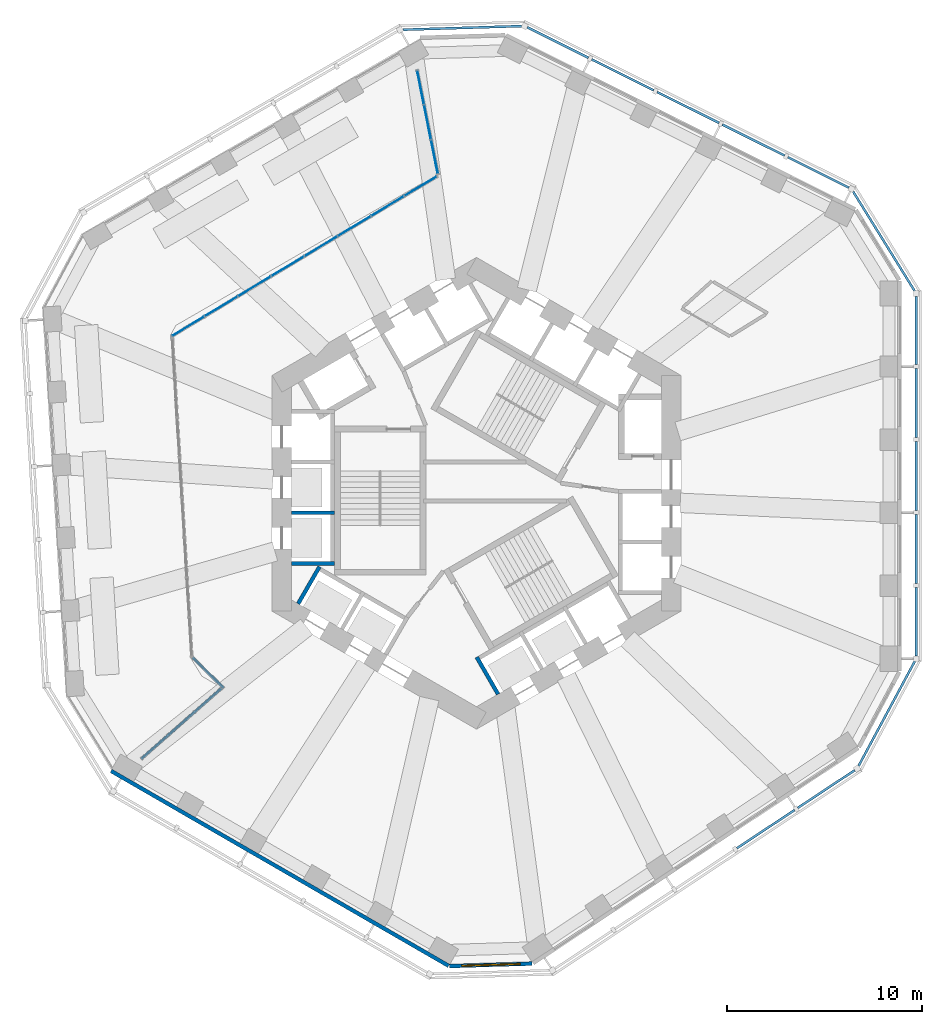
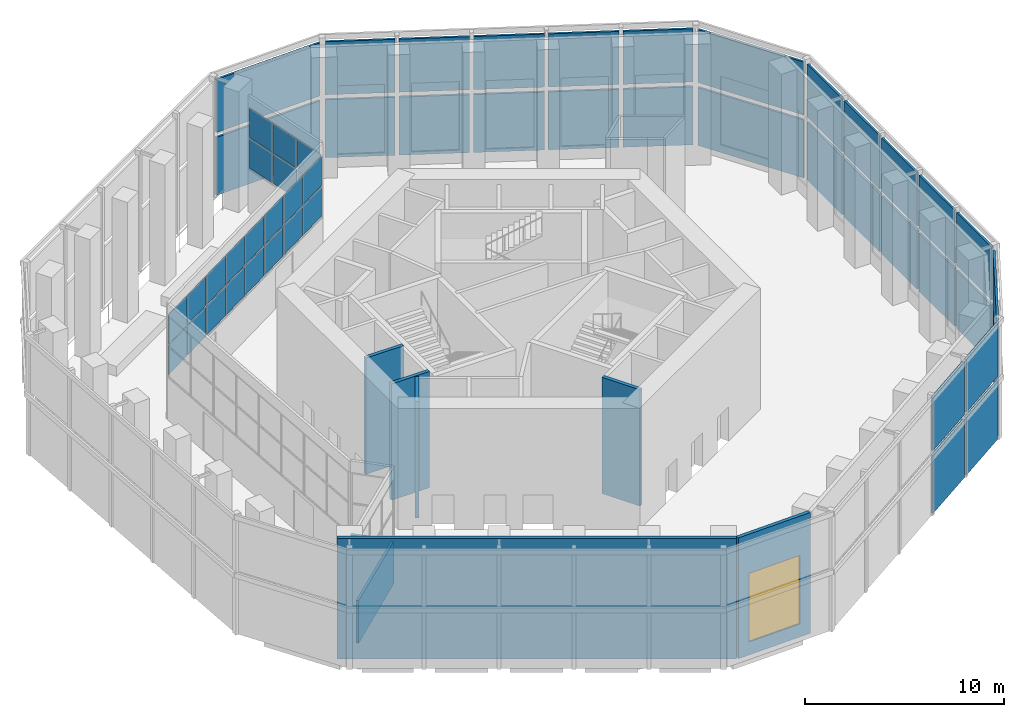
# One storey, part 9 of 19: 52 plates, 8 walls, 1 window, 1 opening, 8 elements without a shape of their own.
"""IFC4 building model written with IfcOpenShell, lengths in metres."""

from ifc_helpers import new_model, si_unit, direction, frame, frame_2d, origin, origin_2d, place, context, subcontext, project, spatial, rectangle, extrude, material, layer, layer_set, type_object, element, fill, aggregate, save


model = new_model("IFC4")

# Units and contexts
model_context = context("Model", 3, precision=1e-05, world=origin(), true_north=direction((0.0, 1.0)))
body_context = subcontext(model_context, "Body", "Model", "MODEL_VIEW")
ifc_project = project(units=[si_unit("LENGTHUNIT", "METRE"), si_unit("AREAUNIT", "SQUARE_METRE"), si_unit("VOLUMEUNIT", "CUBIC_METRE"), si_unit("PLANEANGLEUNIT", "RADIAN"), si_unit("MASSUNIT", "GRAM", prefix="KILO")], contexts=[model_context])

# Site, building, storey
site_placement = place(None, origin())
site = spatial("IfcSite", under=ifc_project, at=site_placement, CompositionType="ELEMENT")
building_placement = place(site_placement, origin())
building = spatial("IfcBuilding", under=site, at=building_placement, Name="Vanh Sen Convention Tower", CompositionType="ELEMENT")
storey_placement = place(building_placement, frame((0.0, 0.0, 139.199951171875)))
storey = spatial("IfcBuildingStorey", under=building, at=storey_placement, Name="L34", CompositionType="ELEMENT", Elevation=139.199951171875)

# Curtain wall, plates
ifc_material_1 = material(Name="Aluminium structural glazing system", Category="aluminium")
curtain_wall_type_1 = type_object("IfcCurtainWallType", Name="Sky garden structural glazing", PredefinedType="NOTDEFINED", material=ifc_material_1)
curtain_wall_1_placement = place(storey_placement, origin())
curtain_wall_1 = element("IfcCurtainWall", 1, at=curtain_wall_1_placement, inside=storey, type_object=curtain_wall_type_1, Name="Winter garden glazing 4 L34", PredefinedType="NOTDEFINED")
ifc_material_2 = material(Name="Clear toughened safety glass", Category="glass")
ifc_layer_1 = layer(ifc_material_2, 0.035888671875)
ifc_layer_set_1 = layer_set([ifc_layer_1], Name="Clear toughened safety glass")
plate_type_1 = type_object("IfcPlateType", Name="Garden glazing clear glass panel 36", PredefinedType="CURTAIN_PANEL", material=ifc_layer_set_1)
plate_1_placement = place(storey_placement, frame((-14.816650390625, 8.58642578125, 2.669921875), z_axis=(0.0, 0.0, 1.0), x_axis=(0.856482605327, 0.516175887438, 0.0)))
plate_1 = element("IfcPlate", 2, at=plate_1_placement, type_object=plate_type_1, Name="CW5 panel 1.1", PredefinedType="CURTAIN_PANEL", context=body_context, shape_type="SweptSolid", body=[
    extrude(rectangle(XDim=1.8916015625, YDim=0.035888671875, at=origin_2d()), origin(), (0.0, 0.0, 1.0), 1.804931640625),
])
plate_2_placement = place(storey_placement, frame((-14.816650390625, 8.58642578125, 4.544921875), z_axis=(0.0, 0.0, 1.0), x_axis=(0.856482605327, 0.516175887438, 0.0)))
plate_2 = element("IfcPlate", 3, at=plate_2_placement, type_object=plate_type_1, Name="CW5 panel 1.2", PredefinedType="CURTAIN_PANEL", context=body_context, shape_type="SweptSolid", body=[
    extrude(rectangle(XDim=1.8916015625, YDim=0.035888671875, at=origin_2d()), origin(), (0.0, 0.0, 1.0), 1.804931640625),
])
plate_3_placement = place(storey_placement, frame((-13.12158203125, 9.60791015625, 2.669921875), z_axis=(0.0, 0.0, 1.0), x_axis=(0.856482605327, 0.516175887438, 0.0)))
plate_3 = element("IfcPlate", 4, at=plate_3_placement, type_object=plate_type_1, Name="CW5 panel 2.1", PredefinedType="CURTAIN_PANEL", context=body_context, shape_type="SweptSolid", body=[
    extrude(rectangle(XDim=1.9267578125, YDim=0.035888671875, at=origin_2d()), origin(), (0.0, 0.0, 1.0), 1.804931640625),
])
plate_4_placement = place(storey_placement, frame((-13.12158203125, 9.60791015625, 4.544921875), z_axis=(0.0, 0.0, 1.0), x_axis=(0.856482605327, 0.516175887438, 0.0)))
plate_4 = element("IfcPlate", 5, at=plate_4_placement, type_object=plate_type_1, Name="CW5 panel 2.2", PredefinedType="CURTAIN_PANEL", context=body_context, shape_type="SweptSolid", body=[
    extrude(rectangle(XDim=1.9267578125, YDim=0.035888671875, at=origin_2d()), origin(), (0.0, 0.0, 1.0), 1.804931640625),
])
plate_5_placement = place(storey_placement, frame((-11.411376953125, 10.638671875, 2.669921875), z_axis=(0.0, 0.0, 1.0), x_axis=(0.856482605327, 0.516175887438, 0.0)))
plate_5 = element("IfcPlate", 6, at=plate_5_placement, type_object=plate_type_1, Name="CW5 panel 3.1", PredefinedType="CURTAIN_PANEL", context=body_context, shape_type="SweptSolid", body=[
    extrude(rectangle(XDim=1.9267578125, YDim=0.035888671875, at=origin_2d()), origin(), (0.0, 0.0, 1.0), 1.804931640625),
])
plate_6_placement = place(storey_placement, frame((-11.411376953125, 10.638671875, 4.544921875), z_axis=(0.0, 0.0, 1.0), x_axis=(0.856482605327, 0.516175887438, 0.0)))
plate_6 = element("IfcPlate", 7, at=plate_6_placement, type_object=plate_type_1, Name="CW5 panel 3.2", PredefinedType="CURTAIN_PANEL", context=body_context, shape_type="SweptSolid", body=[
    extrude(rectangle(XDim=1.9267578125, YDim=0.035888671875, at=origin_2d()), origin(), (0.0, 0.0, 1.0), 1.804931640625),
])
plate_7_placement = place(storey_placement, frame((-9.701416015625, 11.669189453125, 2.669921875), z_axis=(0.0, 0.0, 1.0), x_axis=(0.856482605327, 0.516175887438, 0.0)))
plate_7 = element("IfcPlate", 8, at=plate_7_placement, type_object=plate_type_1, Name="CW5 panel 4.1", PredefinedType="CURTAIN_PANEL", context=body_context, shape_type="SweptSolid", body=[
    extrude(rectangle(XDim=1.9267578125, YDim=0.035888671875, at=origin_2d()), origin(), (0.0, 0.0, 1.0), 1.804931640625),
])
plate_8_placement = place(storey_placement, frame((-9.701416015625, 11.669189453125, 4.544921875), z_axis=(0.0, 0.0, 1.0), x_axis=(0.856482605327, 0.516175887438, 0.0)))
plate_8 = element("IfcPlate", 9, at=plate_8_placement, type_object=plate_type_1, Name="CW5 panel 4.2", PredefinedType="CURTAIN_PANEL", context=body_context, shape_type="SweptSolid", body=[
    extrude(rectangle(XDim=1.9267578125, YDim=0.035888671875, at=origin_2d()), origin(), (0.0, 0.0, 1.0), 1.804931640625),
])
plate_9_placement = place(storey_placement, frame((-7.9912109375, 12.69970703125, 2.669921875), z_axis=(0.0, 0.0, 1.0), x_axis=(0.856482605327, 0.516175887438, 0.0)))
plate_9 = element("IfcPlate", 10, at=plate_9_placement, type_object=plate_type_1, Name="CW5 panel 5.1", PredefinedType="CURTAIN_PANEL", context=body_context, shape_type="SweptSolid", body=[
    extrude(rectangle(XDim=1.9267578125, YDim=0.035888671875, at=origin_2d()), origin(), (0.0, 0.0, 1.0), 1.804931640625),
])
plate_10_placement = place(storey_placement, frame((-7.9912109375, 12.69970703125, 4.544921875), z_axis=(0.0, 0.0, 1.0), x_axis=(0.856482605327, 0.516175887438, 0.0)))
plate_10 = element("IfcPlate", 11, at=plate_10_placement, type_object=plate_type_1, Name="CW5 panel 5.2", PredefinedType="CURTAIN_PANEL", context=body_context, shape_type="SweptSolid", body=[
    extrude(rectangle(XDim=1.9267578125, YDim=0.035888671875, at=origin_2d()), origin(), (0.0, 0.0, 1.0), 1.804931640625),
])
plate_11_placement = place(storey_placement, frame((-6.28125, 13.73046875, 2.669921875), z_axis=(0.0, 0.0, 1.0), x_axis=(0.856482605327, 0.516175887438, 0.0)))
plate_11 = element("IfcPlate", 12, at=plate_11_placement, type_object=plate_type_1, Name="CW5 panel 6.1", PredefinedType="CURTAIN_PANEL", context=body_context, shape_type="SweptSolid", body=[
    extrude(rectangle(XDim=1.9267578125, YDim=0.035888671875, at=origin_2d()), origin(), (0.0, 0.0, 1.0), 1.804931640625),
])
plate_12_placement = place(storey_placement, frame((-6.28125, 13.73046875, 4.544921875), z_axis=(0.0, 0.0, 1.0), x_axis=(0.856482605327, 0.516175887438, 0.0)))
plate_12 = element("IfcPlate", 13, at=plate_12_placement, type_object=plate_type_1, Name="CW5 panel 6.2", PredefinedType="CURTAIN_PANEL", context=body_context, shape_type="SweptSolid", body=[
    extrude(rectangle(XDim=1.9267578125, YDim=0.035888671875, at=origin_2d()), origin(), (0.0, 0.0, 1.0), 1.804931640625),
])
plate_13_placement = place(storey_placement, frame((-4.571044921875, 14.760986328125, 2.669921875), z_axis=(0.0, 0.0, 1.0), x_axis=(0.856482605327, 0.516175887438, 0.0)))
plate_13 = element("IfcPlate", 14, at=plate_13_placement, type_object=plate_type_1, Name="CW5 panel 7.1", PredefinedType="CURTAIN_PANEL", context=body_context, shape_type="SweptSolid", body=[
    extrude(rectangle(XDim=1.9267578125, YDim=0.035888671875, at=origin_2d()), origin(), (0.0, 0.0, 1.0), 1.804931640625),
])
plate_14_placement = place(storey_placement, frame((-4.571044921875, 14.760986328125, 4.544921875), z_axis=(0.0, 0.0, 1.0), x_axis=(0.856482605327, 0.516175887438, 0.0)))
plate_14 = element("IfcPlate", 15, at=plate_14_placement, type_object=plate_type_1, Name="CW5 panel 7.2", PredefinedType="CURTAIN_PANEL", context=body_context, shape_type="SweptSolid", body=[
    extrude(rectangle(XDim=1.9267578125, YDim=0.035888671875, at=origin_2d()), origin(), (0.0, 0.0, 1.0), 1.804931640625),
])
plate_15_placement = place(storey_placement, frame((-2.8759765625, 15.78271484375, 2.669921875), z_axis=(0.0, 0.0, 1.0), x_axis=(0.856482605327, 0.516175887438, 0.0)))
plate_15 = element("IfcPlate", 16, at=plate_15_placement, type_object=plate_type_1, Name="CW5 panel 8.1", PredefinedType="CURTAIN_PANEL", context=body_context, shape_type="SweptSolid", body=[
    extrude(rectangle(XDim=1.8916015625, YDim=0.035888671875, at=origin_2d()), origin(), (0.0, 0.0, 1.0), 1.804931640625),
])
plate_16_placement = place(storey_placement, frame((-2.8759765625, 15.78271484375, 4.544921875), z_axis=(0.0, 0.0, 1.0), x_axis=(0.856482605327, 0.516175887438, 0.0)))
plate_16 = element("IfcPlate", 17, at=plate_16_placement, type_object=plate_type_1, Name="CW5 panel 8.2", PredefinedType="CURTAIN_PANEL", context=body_context, shape_type="SweptSolid", body=[
    extrude(rectangle(XDim=1.8916015625, YDim=0.035888671875, at=origin_2d()), origin(), (0.0, 0.0, 1.0), 1.804931640625),
])
aggregate(curtain_wall_1, [plate_1, plate_2, plate_3, plate_4, plate_5, plate_6, plate_7, plate_8, plate_9, plate_10, plate_11, plate_12, plate_13, plate_14, plate_15, plate_16])

curtain_wall_2_placement = place(storey_placement, origin())
curtain_wall_2 = element("IfcCurtainWall", 18, at=curtain_wall_2_placement, inside=storey, type_object=curtain_wall_type_1, Name="Winter garden glazing 5 L34", PredefinedType="NOTDEFINED")
plate_17_placement = place(storey_placement, frame((-2.158447265625, 17.294677734375, 2.669921875), z_axis=(0.0, 0.0, 1.0), x_axis=(-0.196790195284, 0.980445622684, 0.0)))
plate_17 = element("IfcPlate", 19, at=plate_17_placement, type_object=plate_type_1, Name="CW5 panel 1.1", PredefinedType="CURTAIN_PANEL", context=body_context, shape_type="SweptSolid", body=[
    extrude(rectangle(XDim=1.730224609375, YDim=0.035888671875, at=origin_2d()), origin(), (0.0, 0.0, 1.0), 1.804931640625),
])
plate_18_placement = place(storey_placement, frame((-2.158447265625, 17.294677734375, 4.544921875), z_axis=(0.0, 0.0, 1.0), x_axis=(-0.196790195284, 0.980445622684, 0.0)))
plate_18 = element("IfcPlate", 20, at=plate_18_placement, type_object=plate_type_1, Name="CW5 panel 1.2", PredefinedType="CURTAIN_PANEL", context=body_context, shape_type="SweptSolid", body=[
    extrude(rectangle(XDim=1.730224609375, YDim=0.035888671875, at=origin_2d()), origin(), (0.0, 0.0, 1.0), 1.804931640625),
])
plate_19_placement = place(storey_placement, frame((-2.51611328125, 19.076904296875, 2.669921875), z_axis=(0.0, 0.0, 1.0), x_axis=(-0.196790195284, 0.980445622684, 0.0)))
plate_19 = element("IfcPlate", 21, at=plate_19_placement, type_object=plate_type_1, Name="CW5 panel 2.1", PredefinedType="CURTAIN_PANEL", context=body_context, shape_type="SweptSolid", body=[
    extrude(rectangle(XDim=1.765380859375, YDim=0.035888671875, at=origin_2d()), origin(), (0.0, 0.0, 1.0), 1.804931640625),
])
plate_20_placement = place(storey_placement, frame((-2.51611328125, 19.076904296875, 4.544921875), z_axis=(0.0, 0.0, 1.0), x_axis=(-0.196790195284, 0.980445622684, 0.0)))
plate_20 = element("IfcPlate", 22, at=plate_20_placement, type_object=plate_type_1, Name="CW5 panel 2.2", PredefinedType="CURTAIN_PANEL", context=body_context, shape_type="SweptSolid", body=[
    extrude(rectangle(XDim=1.765380859375, YDim=0.035888671875, at=origin_2d()), origin(), (0.0, 0.0, 1.0), 1.804931640625),
])
plate_21_placement = place(storey_placement, frame((-2.873779296875, 20.859130859375, 2.669921875), z_axis=(0.0, 0.0, 1.0), x_axis=(-0.196790195284, 0.980445622684, 0.0)))
plate_21 = element("IfcPlate", 23, at=plate_21_placement, type_object=plate_type_1, Name="CW5 panel 3.1", PredefinedType="CURTAIN_PANEL", context=body_context, shape_type="SweptSolid", body=[
    extrude(rectangle(XDim=1.730224609375, YDim=0.035888671875, at=origin_2d()), origin(), (0.0, 0.0, 1.0), 1.804931640625),
])
plate_22_placement = place(storey_placement, frame((-2.873779296875, 20.859130859375, 4.544921875), z_axis=(0.0, 0.0, 1.0), x_axis=(-0.196790195284, 0.980445622684, 0.0)))
plate_22 = element("IfcPlate", 24, at=plate_22_placement, type_object=plate_type_1, Name="CW5 panel 3.2", PredefinedType="CURTAIN_PANEL", context=body_context, shape_type="SweptSolid", body=[
    extrude(rectangle(XDim=1.730224609375, YDim=0.035888671875, at=origin_2d()), origin(), (0.0, 0.0, 1.0), 1.804931640625),
])
aggregate(curtain_wall_2, [plate_17, plate_18, plate_19, plate_20, plate_21, plate_22])

ifc_material_3 = material(Name="Concrete C50/60", Category="concrete")
curtain_wall_type_2 = type_object("IfcCurtainWallType", Name="Outer skin office zone", PredefinedType="NOTDEFINED", material=ifc_material_3)
curtain_wall_3_placement = place(storey_placement, origin())
curtain_wall_3 = element("IfcCurtainWall", 25, at=curtain_wall_3_placement, inside=storey, type_object=curtain_wall_type_2, Name="OUTER SKIN E L34", PredefinedType="NOTDEFINED")
ifc_layer_2 = layer(ifc_material_3, 0.1201171875)
ifc_layer_set_2 = layer_set([ifc_layer_2], Name="Concrete C50/60")
plate_type_2 = type_object("IfcPlateType", Name="Outer skin precast screen panel 120", PredefinedType="CURTAIN_PANEL", material=ifc_layer_set_2)
plate_23_placement = place(storey_placement, frame((22.60009765625, -6.59912109375, 0.0), z_axis=(0.0, 0.0, 1.0), x_axis=(0.0, 1.0, 0.0)))
plate_23 = element("IfcPlate", 26, at=plate_23_placement, type_object=plate_type_2, Name="OUTER SKIN screen panel E-1", PredefinedType="CURTAIN_PANEL", context=body_context, shape_type="SweptSolid", body=[
    extrude(rectangle(XDim=3.504150390625, YDim=0.1201171875, at=origin_2d()), origin(), (0.0, 0.0, 1.0), 3.550048828125),
])
plate_24_placement = place(storey_placement, frame((22.60009765625, -6.59912109375, 3.85009765625), z_axis=(0.0, 0.0, 1.0), x_axis=(0.0, 1.0, 0.0)))
plate_24 = element("IfcPlate", 27, at=plate_24_placement, type_object=plate_type_2, Name="OUTER SKIN screen panel E-1", PredefinedType="CURTAIN_PANEL", context=body_context, shape_type="SweptSolid", body=[
    extrude(rectangle(XDim=3.504150390625, YDim=0.1201171875, at=origin_2d()), origin(), (0.0, 0.0, 1.0), 3.25),
])
plate_25_placement = place(storey_placement, frame((22.60009765625, -2.869873046875, 0.0), z_axis=(0.0, 0.0, 1.0), x_axis=(0.0, 1.0, 0.0)))
plate_25 = element("IfcPlate", 28, at=plate_25_placement, type_object=plate_type_2, Name="OUTER SKIN screen panel E-2", PredefinedType="CURTAIN_PANEL", context=body_context, shape_type="SweptSolid", body=[
    extrude(rectangle(XDim=3.55419921875, YDim=0.1201171875, at=origin_2d()), origin(), (0.0, 0.0, 1.0), 3.550048828125),
])
plate_26_placement = place(storey_placement, frame((22.60009765625, -2.869873046875, 3.85009765625), z_axis=(0.0, 0.0, 1.0), x_axis=(0.0, 1.0, 0.0)))
plate_26 = element("IfcPlate", 29, at=plate_26_placement, type_object=plate_type_2, Name="OUTER SKIN screen panel E-2", PredefinedType="CURTAIN_PANEL", context=body_context, shape_type="SweptSolid", body=[
    extrude(rectangle(XDim=3.55419921875, YDim=0.1201171875, at=origin_2d()), origin(), (0.0, 0.0, 1.0), 3.25),
])
plate_27_placement = place(storey_placement, frame((22.60009765625, 0.88427734375, 0.0), z_axis=(0.0, 0.0, 1.0), x_axis=(0.0, 1.0, 0.0)))
plate_27 = element("IfcPlate", 30, at=plate_27_placement, type_object=plate_type_2, Name="OUTER SKIN screen panel E-3", PredefinedType="CURTAIN_PANEL", context=body_context, shape_type="SweptSolid", body=[
    extrude(rectangle(XDim=3.55419921875, YDim=0.1201171875, at=origin_2d()), origin(), (0.0, 0.0, 1.0), 3.550048828125),
])
plate_28_placement = place(storey_placement, frame((22.60009765625, 0.88427734375, 3.85009765625), z_axis=(0.0, 0.0, 1.0), x_axis=(0.0, 1.0, 0.0)))
plate_28 = element("IfcPlate", 31, at=plate_28_placement, type_object=plate_type_2, Name="OUTER SKIN screen panel E-3", PredefinedType="CURTAIN_PANEL", context=body_context, shape_type="SweptSolid", body=[
    extrude(rectangle(XDim=3.55419921875, YDim=0.1201171875, at=origin_2d()), origin(), (0.0, 0.0, 1.0), 3.25),
])
plate_29_placement = place(storey_placement, frame((22.60009765625, 4.63818359375, 0.0), z_axis=(0.0, 0.0, 1.0), x_axis=(0.0, 1.0, 0.0)))
plate_29 = element("IfcPlate", 32, at=plate_29_placement, type_object=plate_type_2, Name="OUTER SKIN screen panel E-4", PredefinedType="CURTAIN_PANEL", context=body_context, shape_type="SweptSolid", body=[
    extrude(rectangle(XDim=3.55419921875, YDim=0.1201171875, at=origin_2d()), origin(), (0.0, 0.0, 1.0), 3.550048828125),
])
plate_30_placement = place(storey_placement, frame((22.60009765625, 4.63818359375, 3.85009765625), z_axis=(0.0, 0.0, 1.0), x_axis=(0.0, 1.0, 0.0)))
plate_30 = element("IfcPlate", 33, at=plate_30_placement, type_object=plate_type_2, Name="OUTER SKIN screen panel E-4", PredefinedType="CURTAIN_PANEL", context=body_context, shape_type="SweptSolid", body=[
    extrude(rectangle(XDim=3.55419921875, YDim=0.1201171875, at=origin_2d()), origin(), (0.0, 0.0, 1.0), 3.25),
])
plate_31_placement = place(storey_placement, frame((22.60009765625, 8.367431640625, 0.0), z_axis=(0.0, 0.0, 1.0), x_axis=(0.0, 1.0, 0.0)))
plate_31 = element("IfcPlate", 34, at=plate_31_placement, type_object=plate_type_2, Name="OUTER SKIN screen panel E-5", PredefinedType="CURTAIN_PANEL", context=body_context, shape_type="SweptSolid", body=[
    extrude(rectangle(XDim=3.504150390625, YDim=0.1201171875, at=origin_2d()), origin(), (0.0, 0.0, 1.0), 3.550048828125),
])
plate_32_placement = place(storey_placement, frame((22.60009765625, 8.367431640625, 3.85009765625), z_axis=(0.0, 0.0, 1.0), x_axis=(0.0, 1.0, 0.0)))
plate_32 = element("IfcPlate", 35, at=plate_32_placement, type_object=plate_type_2, Name="OUTER SKIN screen panel E-5", PredefinedType="CURTAIN_PANEL", context=body_context, shape_type="SweptSolid", body=[
    extrude(rectangle(XDim=3.504150390625, YDim=0.1201171875, at=origin_2d()), origin(), (0.0, 0.0, 1.0), 3.25),
])
aggregate(curtain_wall_3, [plate_23, plate_24, plate_25, plate_26, plate_27, plate_28, plate_29, plate_30, plate_31, plate_32])

curtain_wall_4_placement = place(storey_placement, origin())
curtain_wall_4 = element("IfcCurtainWall", 36, at=curtain_wall_4_placement, inside=storey, type_object=curtain_wall_type_2, Name="OUTER SKIN CH1 L34", PredefinedType="NOTDEFINED")
plate_33_placement = place(storey_placement, frame((20.937255859375, 12.956298828125, 0.0), z_axis=(0.0, 0.0, 1.0), x_axis=(-0.5262035346, 0.850358653848, 0.0)))
plate_33 = element("IfcPlate", 37, at=plate_33_placement, type_object=plate_type_2, Name="OUTER SKIN screen panel CH1-1", PredefinedType="CURTAIN_PANEL", context=body_context, shape_type="SweptSolid", body=[
    extrude(rectangle(XDim=6.01953125, YDim=0.1201171875, at=origin_2d()), origin(), (0.0, 0.0, 1.0), 3.550048828125),
])
plate_34_placement = place(storey_placement, frame((20.937255859375, 12.956298828125, 3.85009765625), z_axis=(0.0, 0.0, 1.0), x_axis=(-0.5262035346, 0.850358653848, 0.0)))
plate_34 = element("IfcPlate", 38, at=plate_34_placement, type_object=plate_type_2, Name="OUTER SKIN screen panel CH1-1", PredefinedType="CURTAIN_PANEL", context=body_context, shape_type="SweptSolid", body=[
    extrude(rectangle(XDim=6.01953125, YDim=0.1201171875, at=origin_2d()), origin(), (0.0, 0.0, 1.0), 3.25),
])
aggregate(curtain_wall_4, [plate_33, plate_34])

curtain_wall_5_placement = place(storey_placement, origin())
curtain_wall_5 = element("IfcCurtainWall", 39, at=curtain_wall_5_placement, inside=storey, type_object=curtain_wall_type_2, Name="OUTER SKIN NE L34", PredefinedType="NOTDEFINED")
plate_35_placement = place(storey_placement, frame((17.572509765625, 16.491943359375, 0.0), z_axis=(0.0, 0.0, 1.0), x_axis=(-0.894943706551, 0.446179069551, 0.0)))
plate_35 = element("IfcPlate", 40, at=plate_35_placement, type_object=plate_type_2, Name="OUTER SKIN screen panel NE-1", PredefinedType="CURTAIN_PANEL", context=body_context, shape_type="SweptSolid", body=[
    extrude(rectangle(XDim=3.504150390625, YDim=0.1201171875, at=origin_2d()), origin(), (0.0, 0.0, 1.0), 3.550048828125),
])
plate_36_placement = place(storey_placement, frame((17.572509765625, 16.491943359375, 3.85009765625), z_axis=(0.0, 0.0, 1.0), x_axis=(-0.894943706551, 0.446179069551, 0.0)))
plate_36 = element("IfcPlate", 41, at=plate_36_placement, type_object=plate_type_2, Name="OUTER SKIN screen panel NE-1", PredefinedType="CURTAIN_PANEL", context=body_context, shape_type="SweptSolid", body=[
    extrude(rectangle(XDim=3.504150390625, YDim=0.1201171875, at=origin_2d()), origin(), (0.0, 0.0, 1.0), 3.25),
])
plate_37_placement = place(storey_placement, frame((14.235107421875, 18.156005859375, 0.0), z_axis=(0.0, 0.0, 1.0), x_axis=(-0.894932804072, 0.446200937017, 0.0)))
plate_37 = element("IfcPlate", 42, at=plate_37_placement, type_object=plate_type_2, Name="OUTER SKIN screen panel NE-2", PredefinedType="CURTAIN_PANEL", context=body_context, shape_type="SweptSolid", body=[
    extrude(rectangle(XDim=3.55419921875, YDim=0.1201171875, at=origin_2d()), origin(), (0.0, 0.0, 1.0), 3.550048828125),
])
plate_38_placement = place(storey_placement, frame((14.235107421875, 18.156005859375, 3.85009765625), z_axis=(0.0, 0.0, 1.0), x_axis=(-0.894932804072, 0.446200937017, 0.0)))
plate_38 = element("IfcPlate", 43, at=plate_38_placement, type_object=plate_type_2, Name="OUTER SKIN screen panel NE-2", PredefinedType="CURTAIN_PANEL", context=body_context, shape_type="SweptSolid", body=[
    extrude(rectangle(XDim=3.55419921875, YDim=0.1201171875, at=origin_2d()), origin(), (0.0, 0.0, 1.0), 3.25),
])
plate_39_placement = place(storey_placement, frame((10.87548828125, 19.8310546875, 0.0), z_axis=(0.0, 0.0, 1.0), x_axis=(-0.894932804072, 0.446200937017, 0.0)))
plate_39 = element("IfcPlate", 44, at=plate_39_placement, type_object=plate_type_2, Name="OUTER SKIN screen panel NE-3", PredefinedType="CURTAIN_PANEL", context=body_context, shape_type="SweptSolid", body=[
    extrude(rectangle(XDim=3.55419921875, YDim=0.1201171875, at=origin_2d()), origin(), (0.0, 0.0, 1.0), 3.550048828125),
])
plate_40_placement = place(storey_placement, frame((10.87548828125, 19.8310546875, 3.85009765625), z_axis=(0.0, 0.0, 1.0), x_axis=(-0.894932804072, 0.446200937017, 0.0)))
plate_40 = element("IfcPlate", 45, at=plate_40_placement, type_object=plate_type_2, Name="OUTER SKIN screen panel NE-3", PredefinedType="CURTAIN_PANEL", context=body_context, shape_type="SweptSolid", body=[
    extrude(rectangle(XDim=3.55419921875, YDim=0.1201171875, at=origin_2d()), origin(), (0.0, 0.0, 1.0), 3.25),
])
plate_41_placement = place(storey_placement, frame((7.515625, 21.506103515625, 0.0), z_axis=(0.0, 0.0, 1.0), x_axis=(-0.894932804072, 0.446200937017, 0.0)))
plate_41 = element("IfcPlate", 46, at=plate_41_placement, type_object=plate_type_2, Name="OUTER SKIN screen panel NE-4", PredefinedType="CURTAIN_PANEL", context=body_context, shape_type="SweptSolid", body=[
    extrude(rectangle(XDim=3.55419921875, YDim=0.1201171875, at=origin_2d()), origin(), (0.0, 0.0, 1.0), 3.550048828125),
])
plate_42_placement = place(storey_placement, frame((7.515625, 21.506103515625, 3.85009765625), z_axis=(0.0, 0.0, 1.0), x_axis=(-0.894932804072, 0.446200937017, 0.0)))
plate_42 = element("IfcPlate", 47, at=plate_42_placement, type_object=plate_type_2, Name="OUTER SKIN screen panel NE-4", PredefinedType="CURTAIN_PANEL", context=body_context, shape_type="SweptSolid", body=[
    extrude(rectangle(XDim=3.55419921875, YDim=0.1201171875, at=origin_2d()), origin(), (0.0, 0.0, 1.0), 3.25),
])
plate_43_placement = place(storey_placement, frame((4.178466796875, 23.169921875, 0.0), z_axis=(0.0, 0.0, 1.0), x_axis=(-0.894943706551, 0.446179069551, 0.0)))
plate_43 = element("IfcPlate", 48, at=plate_43_placement, type_object=plate_type_2, Name="OUTER SKIN screen panel NE-5", PredefinedType="CURTAIN_PANEL", context=body_context, shape_type="SweptSolid", body=[
    extrude(rectangle(XDim=3.504150390625, YDim=0.1201171875, at=origin_2d()), origin(), (0.0, 0.0, 1.0), 3.550048828125),
])
plate_44_placement = place(storey_placement, frame((4.178466796875, 23.169921875, 3.85009765625), z_axis=(0.0, 0.0, 1.0), x_axis=(-0.894943706551, 0.446179069551, 0.0)))
plate_44 = element("IfcPlate", 49, at=plate_44_placement, type_object=plate_type_2, Name="OUTER SKIN screen panel NE-5", PredefinedType="CURTAIN_PANEL", context=body_context, shape_type="SweptSolid", body=[
    extrude(rectangle(XDim=3.504150390625, YDim=0.1201171875, at=origin_2d()), origin(), (0.0, 0.0, 1.0), 3.25),
])
aggregate(curtain_wall_5, [plate_35, plate_36, plate_37, plate_38, plate_39, plate_40, plate_41, plate_42, plate_43, plate_44])

curtain_wall_6_placement = place(storey_placement, origin())
curtain_wall_6 = element("IfcCurtainWall", 50, at=curtain_wall_6_placement, inside=storey, type_object=curtain_wall_type_2, Name="OUTER SKIN CH2 L34", PredefinedType="NOTDEFINED")
plate_45_placement = place(storey_placement, frame((-0.73095703125, 23.920654296875, 0.0), z_axis=(0.0, 0.0, 1.0), x_axis=(-0.999533590837, -0.03053851321, 0.0)))
plate_45 = element("IfcPlate", 51, at=plate_45_placement, type_object=plate_type_2, Name="OUTER SKIN screen panel CH2-1", PredefinedType="CURTAIN_PANEL", context=body_context, shape_type="SweptSolid", body=[
    extrude(rectangle(XDim=6.1171875, YDim=0.1201171875, at=origin_2d()), origin(), (0.0, 0.0, 1.0), 3.550048828125),
])
plate_46_placement = place(storey_placement, frame((-0.73095703125, 23.920654296875, 3.85009765625), z_axis=(0.0, 0.0, 1.0), x_axis=(-0.999533590837, -0.03053851321, 0.0)))
plate_46 = element("IfcPlate", 52, at=plate_46_placement, type_object=plate_type_2, Name="OUTER SKIN screen panel CH2-1", PredefinedType="CURTAIN_PANEL", context=body_context, shape_type="SweptSolid", body=[
    extrude(rectangle(XDim=6.1171875, YDim=0.1201171875, at=origin_2d()), origin(), (0.0, 0.0, 1.0), 3.25),
])
aggregate(curtain_wall_6, [plate_45, plate_46])

curtain_wall_7_placement = place(storey_placement, origin())
curtain_wall_7 = element("IfcCurtainWall", 53, at=curtain_wall_7_placement, inside=storey, type_object=curtain_wall_type_2, Name="OUTER SKIN SE L34", PredefinedType="NOTDEFINED")
plate_47_placement = place(storey_placement, frame((14.866943359375, -17.26171875, 0.0), z_axis=(0.0, 0.0, 1.0), x_axis=(0.833889675294, 0.551931163677, 0.0)))
plate_47 = element("IfcPlate", 54, at=plate_47_placement, type_object=plate_type_2, Name="OUTER SKIN screen panel SE-4", PredefinedType="CURTAIN_PANEL", context=body_context, shape_type="SweptSolid", body=[
    extrude(rectangle(XDim=3.55419921875, YDim=0.1201171875, at=origin_2d()), origin(), (0.0, 0.0, 1.0), 3.550048828125),
])
plate_48_placement = place(storey_placement, frame((14.866943359375, -17.26171875, 3.85009765625), z_axis=(0.0, 0.0, 1.0), x_axis=(0.833889675294, 0.551931163677, 0.0)))
plate_48 = element("IfcPlate", 55, at=plate_48_placement, type_object=plate_type_2, Name="OUTER SKIN screen panel SE-4", PredefinedType="CURTAIN_PANEL", context=body_context, shape_type="SweptSolid", body=[
    extrude(rectangle(XDim=3.55419921875, YDim=0.1201171875, at=origin_2d()), origin(), (0.0, 0.0, 1.0), 3.25),
])
plate_49_placement = place(storey_placement, frame((17.9765625, -15.20361328125, 0.0), z_axis=(0.0, 0.0, 1.0), x_axis=(0.833889675294, 0.551931163677, 0.0)))
plate_49 = element("IfcPlate", 56, at=plate_49_placement, type_object=plate_type_2, Name="OUTER SKIN screen panel SE-5", PredefinedType="CURTAIN_PANEL", context=body_context, shape_type="SweptSolid", body=[
    extrude(rectangle(XDim=3.504150390625, YDim=0.1201171875, at=origin_2d()), origin(), (0.0, 0.0, 1.0), 3.550048828125),
])
plate_50_placement = place(storey_placement, frame((17.9765625, -15.20361328125, 3.85009765625), z_axis=(0.0, 0.0, 1.0), x_axis=(0.833889675294, 0.551931163677, 0.0)))
plate_50 = element("IfcPlate", 57, at=plate_50_placement, type_object=plate_type_2, Name="OUTER SKIN screen panel SE-5", PredefinedType="CURTAIN_PANEL", context=body_context, shape_type="SweptSolid", body=[
    extrude(rectangle(XDim=3.504150390625, YDim=0.1201171875, at=origin_2d()), origin(), (0.0, 0.0, 1.0), 3.25),
])
aggregate(curtain_wall_7, [plate_47, plate_48, plate_49, plate_50])

curtain_wall_8_placement = place(storey_placement, origin())
curtain_wall_8 = element("IfcCurtainWall", 58, at=curtain_wall_8_placement, inside=storey, type_object=curtain_wall_type_2, Name="OUTER SKIN CH6 L34", PredefinedType="NOTDEFINED")
plate_51_placement = place(storey_placement, frame((21.081298828125, -11.327392578125, 0.0), z_axis=(0.0, 0.0, 1.0), x_axis=(0.473321204628, 0.880889912105, 0.0)))
plate_51 = element("IfcPlate", 59, at=plate_51_placement, type_object=plate_type_2, Name="OUTER SKIN screen panel CH6-1", PredefinedType="CURTAIN_PANEL", context=body_context, shape_type="SweptSolid", body=[
    extrude(rectangle(XDim=6.1171875, YDim=0.1201171875, at=origin_2d()), origin(), (0.0, 0.0, 1.0), 3.550048828125),
])
plate_52_placement = place(storey_placement, frame((21.081298828125, -11.327392578125, 3.85009765625), z_axis=(0.0, 0.0, 1.0), x_axis=(0.473321204628, 0.880889912105, 0.0)))
plate_52 = element("IfcPlate", 60, at=plate_52_placement, type_object=plate_type_2, Name="OUTER SKIN screen panel CH6-1", PredefinedType="CURTAIN_PANEL", context=body_context, shape_type="SweptSolid", body=[
    extrude(rectangle(XDim=6.1171875, YDim=0.1201171875, at=origin_2d()), origin(), (0.0, 0.0, 1.0), 3.25),
])
aggregate(curtain_wall_8, [plate_51, plate_52])

# Wall
ifc_material_4 = material(Name="Insulated lightweight infill wall")
ifc_layer_3 = layer(ifc_material_4, 0.199951171875)
ifc_layer_set_3 = layer_set([ifc_layer_3], Name="Insulated lightweight infill wall")
wall_type_1 = type_object("IfcWallType", Name="External wall 200", PredefinedType="STANDARD", material=ifc_layer_set_3)
wall_1_placement = place(storey_placement, frame((-18.78125, -14.271484375, 0.0), z_axis=(0.0, 0.0, 1.0), x_axis=(0.866026084105, -0.499998821648, 0.0)))
element("IfcWall", 61, at=wall_1_placement, inside=storey, type_object=wall_type_1, Name="External wall SW-1 L34", PredefinedType="STANDARD", context=body_context, shape_type="SweptSolid", body=[
    extrude(rectangle(XDim=20.03466796875, YDim=0.199951171875, at=frame_2d((10.017333984375, 0.0))), origin(), (0.0, 0.0, 1.0), 7.400146484375),
])

# Wall, opening, window
wall_2_placement = place(storey_placement, frame((-1.377685546875, -24.302001953125, 0.0), z_axis=(0.0, 0.0, 1.0), x_axis=(0.999533857267, 0.030529791629, 0.0)))
wall_2 = element("IfcWall", 62, at=wall_2_placement, inside=storey, type_object=wall_type_1, Name="External wall CH5 L34", PredefinedType="STANDARD", context=body_context, shape_type="SweptSolid", body=[
    extrude(rectangle(XDim=4.23828125, YDim=0.199951171875, at=frame_2d((2.119140625, 0.0))), origin(), (0.0, 0.0, 1.0), 7.400146484375),
])
opening_placement = place(wall_2_placement, frame((0.619140625, 0.0, 0.800048828125)))
opening = element("IfcOpeningElement", 63, at=opening_placement, cuts=wall_2, Name="Opening WS1-CH51", PredefinedType="OPENING", context=body_context, shape_type="SweptSolid", body=[
    extrude(rectangle(XDim=3.0, YDim=4.199951171875, at=frame_2d((1.5, 2.10009765625))), frame((0.0, 0.10986328125, 0.0), z_axis=(0.0, -1.0, 0.0), x_axis=(1.0, 0.0, 0.0)), (0.0, 0.0, 1.0), 0.219970703125),
])
ifc_material_5 = material(Name="Aluminium frame with clear low-emissivity glass", Category="aluminium")
window_type = type_object("IfcWindowType", Name="Sky garden window 3000 x 4200", PartitioningType="SINGLE_PANEL", PredefinedType="WINDOW", material=ifc_material_5)
window_placement = place(opening_placement, origin())
window = element("IfcWindow", 64, at=window_placement, inside=storey, type_object=window_type, Name="Window WS1-CH51", OverallHeight=4.199951171875, OverallWidth=3.0, PartitioningType="SINGLE_PANEL", PredefinedType="WINDOW", context=body_context, shape_type="SweptSolid", body=[
    extrude(rectangle(XDim=3.0, YDim=4.199951171875, at=frame_2d((1.5, 2.10009765625))), frame((0.0, 0.030029296875, 0.0), z_axis=(0.0, -1.0, 0.0), x_axis=(1.0, 0.0, 0.0)), (0.0, 0.0, 1.0), 0.06005859375),
])
fill(opening, window)

# Walls
ifc_material_6 = material(Name="Concrete C40/50", Category="concrete")
ifc_layer_4 = layer(ifc_material_6, 0.199951171875)
ifc_layer_set_4 = layer_set([ifc_layer_4], Name="Concrete C40/50")
wall_type_2 = type_object("IfcWallType", Name="Lift shaft wall 200", PredefinedType="PARTITIONING", material=ifc_layer_set_4)
for number, where, z_axis, x_axis, name in (
    (65, (-7.300048828125, -1.0, 0.0), (0.0, 0.0, 1.0), (-1.0, 0.0, 0.0), "Lift shaft wall L34"),
    (66, (-7.300048828125, -3.60009765625, 0.0), (0.0, 0.0, 1.0), (-1.0, 0.0, 0.0), "Lift shaft wall L34"),
    (67, (-8.066650390625, -3.77197265625, 0.0), (0.0, 0.0, 1.0), (-0.50002983664, -0.866008176907, 0.0), "Lift shaft wall L34"),
    (68, (0.0126953125, -8.422119140625, 0.0), (0.0, 0.0, 1.0), (0.500077893725, -0.86598042715, 0.0), "Lift shaft wall L34"),
):
    element("IfcWall", number, at=place(storey_placement, frame(where, z_axis=z_axis, x_axis=x_axis)), inside=storey, type_object=wall_type_2, Name=name, PredefinedType="PARTITIONING", context=body_context, shape_type="SweptSolid", body=[
        extrude(rectangle(XDim=2.199951171875, YDim=0.199951171875, at=frame_2d((1.10009765625, 0.0))), origin(), (0.0, 0.0, 1.0), 7.1201171875),
    ])
ifc_material_7 = material(Name="Aluminium-framed structural glazing with clear glass", Category="aluminium")
ifc_layer_5 = layer(ifc_material_7, 0.14990234375)
ifc_layer_set_5 = layer_set([ifc_layer_5], Name="Aluminium-framed structural glazing with clear glass")
wall_type_3 = type_object("IfcWallType", Name="Winter garden glazed wall 150", PredefinedType="STANDARD", material=ifc_layer_set_5)
wall_3_placement = place(storey_placement, frame((-17.2392578125, -13.656005859375, 0.0), z_axis=(0.0, 0.0, 1.0), x_axis=(0.750678331628, 0.660667876034, 0.0)))
element("IfcWall", 69, at=wall_3_placement, inside=storey, type_object=wall_type_3, Name="Winter garden wall 1 L34", PredefinedType="STANDARD", context=body_context, shape_type="SweptSolid", body=[
    extrude(rectangle(XDim=5.506103515625, YDim=0.14990234375, at=frame_2d((2.7529296875, 0.0))), origin(), (0.0, 0.0, 1.0), 2.60009765625),
])
wall_4_placement = place(storey_placement, frame((-12.991455078125, -10.010009765625, 0.0), z_axis=(0.0, 0.0, 1.0), x_axis=(-0.714492233151, 0.69964337256, 0.0)))
element("IfcWall", 70, at=wall_4_placement, inside=storey, type_object=wall_type_3, Name="Winter garden wall 2 L34", PredefinedType="STANDARD", context=body_context, shape_type="SweptSolid", body=[
    extrude(rectangle(XDim=2.236083984375, YDim=0.14990234375, at=frame_2d((1.1181640625, 0.0))), origin(), (0.0, 0.0, 1.0), 2.60009765625),
])

save(model, "model.ifc")
